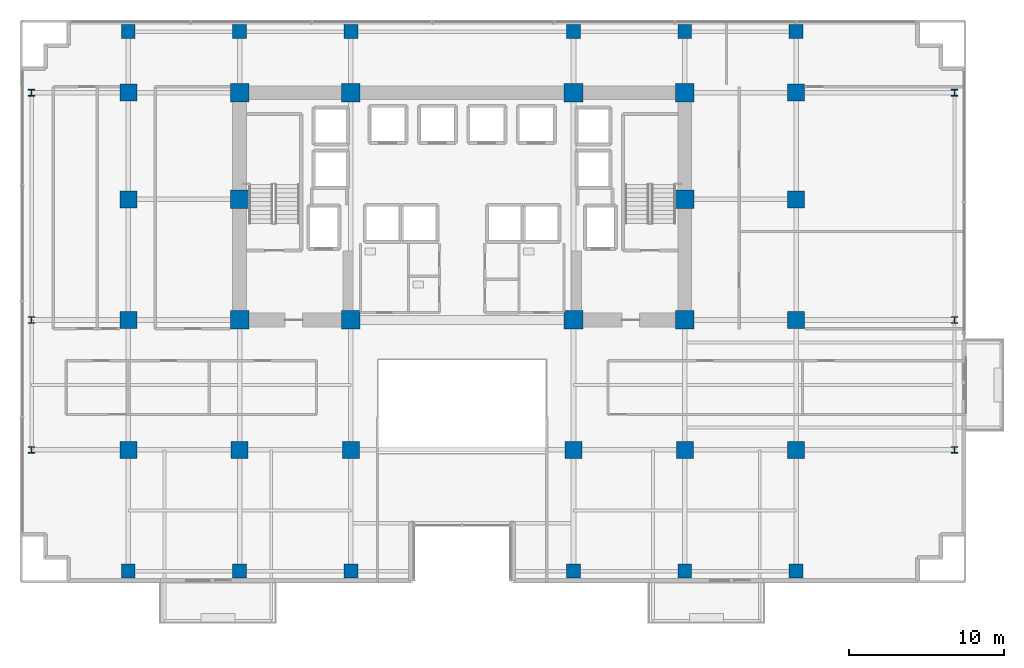
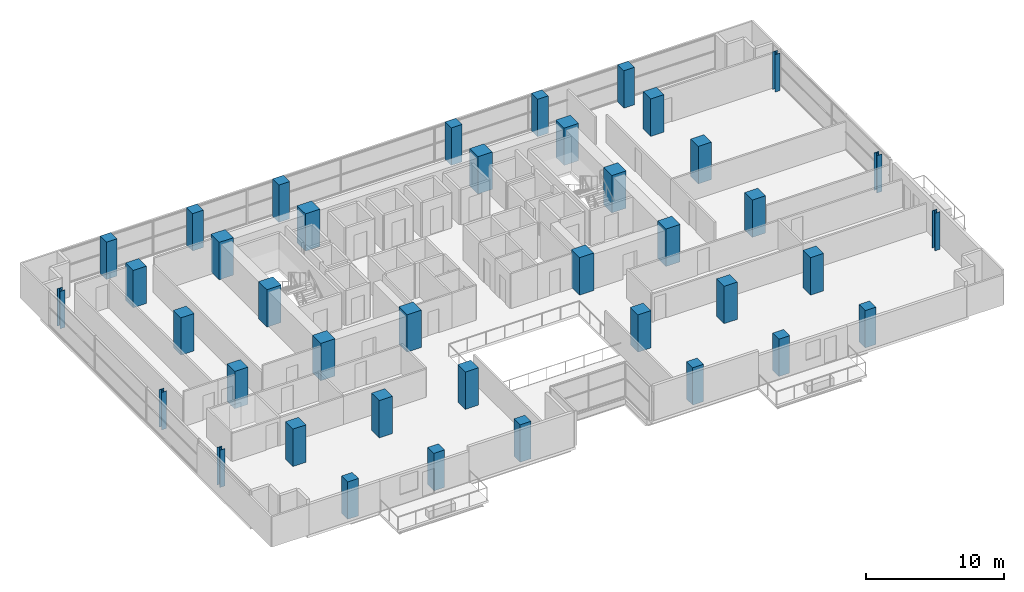
# One storey, part 1 of 26: 40 columns.
"""IFC4 building model written with IfcOpenShell, lengths in metres."""

from ifc_helpers import new_model, si_unit, direction, frame, origin, origin_2d, place, context, subcontext, project, spatial, rectangle, i_section, extrude, material, material_profile, profile_set, type_object, element, save


model = new_model("IFC4")

# Units and contexts
model_context = context("Model", 3, precision=1e-05, world=origin(), true_north=direction((0.0, 1.0)))
body_context = subcontext(model_context, "Body", "Model", "MODEL_VIEW")
ifc_project = project(units=[si_unit("LENGTHUNIT", "METRE"), si_unit("AREAUNIT", "SQUARE_METRE"), si_unit("VOLUMEUNIT", "CUBIC_METRE"), si_unit("PLANEANGLEUNIT", "RADIAN"), si_unit("MASSUNIT", "GRAM", prefix="KILO")], contexts=[model_context])

# Site, building, storey
site_placement = place(None, origin())
site = spatial("IfcSite", under=ifc_project, at=site_placement, CompositionType="ELEMENT")
building_placement = place(site_placement, origin())
building = spatial("IfcBuilding", under=site, at=building_placement, Name="Zarnakvel Exchange Tower", CompositionType="ELEMENT")
storey_placement = place(building_placement, frame((0.0, 0.0, 63.699951171875)))
storey = spatial("IfcBuildingStorey", under=building, at=storey_placement, Name="L17", CompositionType="ELEMENT", Elevation=63.699951171875)

# Columns
ifc_material_1 = material(Name="Concrete C80/95", Category="concrete")
ifc_material_profile_1 = material_profile(ifc_material_1, rectangle(XDim=1.199951171875, YDim=1.199951171875, at=origin_2d()))
ifc_profile_set_1 = profile_set([ifc_material_profile_1], Name="Concrete C80/95")
column_type_1 = type_object("IfcColumnType", Name="CC-01", PredefinedType="COLUMN", material=ifc_profile_set_1)
for number, where, z_axis, x_axis, name in (
    (1, (-14.39990234375, -1.199951171875, 0.0), (0.0, 0.0, 1.0), (1.0, 0.0, 0.0), "L17 Column C-4D (CC-01)"),
    (2, (-7.199951171875, -1.199951171875, 0.0), (0.0, 0.0, 1.0), (1.0, 0.0, 0.0), "L17 Column C-5D (CC-01)"),
    (3, (7.199951171875, -1.199951171875, 0.0), (0.0, 0.0, 1.0), (1.0, 0.0, 0.0), "L17 Column C-8D (CC-01)"),
    (4, (14.39990234375, -1.199951171875, 0.0), (0.0, 0.0, 1.0), (1.0, 0.0, 0.0), "L17 Column C-9D (CC-01)"),
    (5, (-14.39990234375, 6.60009765625, 0.0), (0.0, 0.0, 1.0), (1.0, 0.0, 0.0), "L17 Column C-4E (CC-01)"),
    (6, (14.39990234375, 6.60009765625, 0.0), (0.0, 0.0, 1.0), (1.0, 0.0, 0.0), "L17 Column C-9E (CC-01)"),
    (7, (-14.39990234375, 13.5, 0.0), (0.0, 0.0, 1.0), (1.0, 0.0, 0.0), "L17 Column C-4F (CC-01)"),
    (8, (-7.199951171875, 13.5, 0.0), (0.0, 0.0, 1.0), (1.0, 0.0, 0.0), "L17 Column C-5F (CC-01)"),
    (9, (7.199951171875, 13.5, 0.0), (0.0, 0.0, 1.0), (1.0, 0.0, 0.0), "L17 Column C-8F (CC-01)"),
    (10, (14.39990234375, 13.5, 0.0), (0.0, 0.0, 1.0), (1.0, 0.0, 0.0), "L17 Column C-9F (CC-01)"),
):
    element("IfcColumn", number, at=place(storey_placement, frame(where, z_axis=z_axis, x_axis=x_axis)), inside=storey, type_object=column_type_1, Name=name, PredefinedType="COLUMN", context=body_context, shape_type="SweptSolid", body=[
        extrude(rectangle(XDim=1.199951171875, YDim=1.199951171875, at=origin_2d()), origin(), (0.0, 0.0, 1.0), 3.300048828125),
    ])
ifc_material_2 = material(Name="Steel S355", Category="steel")
ifc_material_profile_2 = material_profile(ifc_material_2, i_section(OverallWidth=0.412109375, OverallDepth=0.425048828125, WebThickness=0.02587890625, FlangeThickness=0.0390625, FilletRadius=0.014892578125, at=origin_2d()))
ifc_profile_set_2 = profile_set([ifc_material_profile_2], Name="Steel S355")
column_type_2 = type_object("IfcColumnType", Name="SC-01", PredefinedType="COLUMN", material=ifc_profile_set_2)
for number, where, z_axis, x_axis, name in (
    (11, (-27.85009765625, -9.60009765625, 0.0), (0.0, 0.0, 1.0), (1.0, 0.0, 0.0), "L17 Column TW-C (SC-01)"),
    (12, (31.85009765625, -9.60009765625, 0.0), (0.0, 0.0, 1.0), (1.0, 0.0, 0.0), "L17 Column TE-C (SC-01)"),
    (13, (-27.85009765625, -1.199951171875, 0.0), (0.0, 0.0, 1.0), (1.0, 0.0, 0.0), "L17 Column TW-D (SC-01)"),
    (14, (31.85009765625, -1.199951171875, 0.0), (0.0, 0.0, 1.0), (1.0, 0.0, 0.0), "L17 Column TE-D (SC-01)"),
    (15, (-27.85009765625, 13.5, 0.0), (0.0, 0.0, 1.0), (1.0, 0.0, 0.0), "L17 Column TW-F (SC-01)"),
    (16, (31.85009765625, 13.5, 0.0), (0.0, 0.0, 1.0), (1.0, 0.0, 0.0), "L17 Column TE-F (SC-01)"),
):
    element("IfcColumn", number, at=place(storey_placement, frame(where, z_axis=z_axis, x_axis=x_axis)), inside=storey, type_object=column_type_2, Name=name, PredefinedType="COLUMN", context=body_context, shape_type="SweptSolid", body=[
        extrude(i_section(OverallWidth=0.412109375, OverallDepth=0.425048828125, WebThickness=0.02587890625, FlangeThickness=0.0390625, FilletRadius=0.014892578125, at=origin_2d()), origin(), (0.0, 0.0, 1.0), 3.300048828125),
    ])
ifc_material_profile_3 = material_profile(ifc_material_1, rectangle(XDim=1.10009765625, YDim=1.10009765625, at=origin_2d()))
ifc_profile_set_3 = profile_set([ifc_material_profile_3], Name="Concrete C80/95")
column_type_3 = type_object("IfcColumnType", Name="TC-01", PredefinedType="COLUMN", material=ifc_profile_set_3)
for number, where, z_axis, x_axis, name in (
    (17, (-14.39990234375, -9.60009765625, 0.0), (0.0, 0.0, 1.0), (1.0, 0.0, 0.0), "L17 Column T-4C (TC-01)"),
    (18, (-7.199951171875, -9.60009765625, 0.0), (0.0, 0.0, 1.0), (1.0, 0.0, 0.0), "L17 Column T-5C (TC-01)"),
    (19, (7.199951171875, -9.60009765625, 0.0), (0.0, 0.0, 1.0), (1.0, 0.0, 0.0), "L17 Column T-8C (TC-01)"),
    (20, (14.39990234375, -9.60009765625, 0.0), (0.0, 0.0, 1.0), (1.0, 0.0, 0.0), "L17 Column T-9C (TC-01)"),
    (21, (-21.60009765625, -9.60009765625, 0.0), (0.0, 0.0, 1.0), (1.0, 0.0, 0.0), "L17 Column T-3C (TC-01)"),
    (22, (-21.60009765625, -1.199951171875, 0.0), (0.0, 0.0, 1.0), (1.0, 0.0, 0.0), "L17 Column T-3D (TC-01)"),
    (23, (-21.60009765625, 6.60009765625, 0.0), (0.0, 0.0, 1.0), (1.0, 0.0, 0.0), "L17 Column T-3E (TC-01)"),
    (24, (-21.60009765625, 13.5, 0.0), (0.0, 0.0, 1.0), (1.0, 0.0, 0.0), "L17 Column T-3F (TC-01)"),
    (25, (21.60009765625, -9.60009765625, 0.0), (0.0, 0.0, 1.0), (1.0, 0.0, 0.0), "L17 Column T-10C (TC-01)"),
    (26, (21.60009765625, -1.199951171875, 0.0), (0.0, 0.0, 1.0), (1.0, 0.0, 0.0), "L17 Column T-10D (TC-01)"),
    (27, (21.60009765625, 6.60009765625, 0.0), (0.0, 0.0, 1.0), (1.0, 0.0, 0.0), "L17 Column T-10E (TC-01)"),
    (28, (21.60009765625, 13.5, 0.0), (0.0, 0.0, 1.0), (1.0, 0.0, 0.0), "L17 Column T-10F (TC-01)"),
):
    element("IfcColumn", number, at=place(storey_placement, frame(where, z_axis=z_axis, x_axis=x_axis)), inside=storey, type_object=column_type_3, Name=name, PredefinedType="COLUMN", context=body_context, shape_type="SweptSolid", body=[
        extrude(rectangle(XDim=1.10009765625, YDim=1.10009765625, at=origin_2d()), origin(), (0.0, 0.0, 1.0), 3.300048828125),
    ])
ifc_material_3 = material(Name="Concrete C60/75", Category="concrete")
ifc_material_profile_4 = material_profile(ifc_material_3, rectangle(XDim=0.89990234375, YDim=0.89990234375, at=origin_2d()))
ifc_profile_set_4 = profile_set([ifc_material_profile_4], Name="Concrete C60/75")
column_type_4 = type_object("IfcColumnType", Name="TC-02", PredefinedType="COLUMN", material=ifc_profile_set_4)
for number, where, z_axis, x_axis, name in (
    (29, (-14.39990234375, -17.449951171875, 0.0), (0.0, 0.0, 1.0), (1.0, 0.0, 0.0), "L17 Column TS-4 (TC-02)"),
    (30, (-14.39990234375, 17.449951171875, 0.0), (0.0, 0.0, 1.0), (1.0, 0.0, 0.0), "L17 Column TN-4 (TC-02)"),
    (31, (-7.199951171875, -17.449951171875, 0.0), (0.0, 0.0, 1.0), (1.0, 0.0, 0.0), "L17 Column TS-5 (TC-02)"),
    (32, (-7.199951171875, 17.449951171875, 0.0), (0.0, 0.0, 1.0), (1.0, 0.0, 0.0), "L17 Column TN-5 (TC-02)"),
    (33, (7.199951171875, -17.449951171875, 0.0), (0.0, 0.0, 1.0), (1.0, 0.0, 0.0), "L17 Column TS-8 (TC-02)"),
    (34, (7.199951171875, 17.449951171875, 0.0), (0.0, 0.0, 1.0), (1.0, 0.0, 0.0), "L17 Column TN-8 (TC-02)"),
    (35, (14.39990234375, -17.449951171875, 0.0), (0.0, 0.0, 1.0), (1.0, 0.0, 0.0), "L17 Column TS-9 (TC-02)"),
    (36, (14.39990234375, 17.449951171875, 0.0), (0.0, 0.0, 1.0), (1.0, 0.0, 0.0), "L17 Column TN-9 (TC-02)"),
    (37, (-21.60009765625, -17.449951171875, 0.0), (0.0, 0.0, 1.0), (1.0, 0.0, 0.0), "L17 Column TS-3 (TC-02)"),
    (38, (-21.60009765625, 17.449951171875, 0.0), (0.0, 0.0, 1.0), (1.0, 0.0, 0.0), "L17 Column TN-3 (TC-02)"),
    (39, (21.60009765625, -17.449951171875, 0.0), (0.0, 0.0, 1.0), (1.0, 0.0, 0.0), "L17 Column TS-10 (TC-02)"),
    (40, (21.60009765625, 17.449951171875, 0.0), (0.0, 0.0, 1.0), (1.0, 0.0, 0.0), "L17 Column TN-10 (TC-02)"),
):
    element("IfcColumn", number, at=place(storey_placement, frame(where, z_axis=z_axis, x_axis=x_axis)), inside=storey, type_object=column_type_4, Name=name, PredefinedType="COLUMN", context=body_context, shape_type="SweptSolid", body=[
        extrude(rectangle(XDim=0.89990234375, YDim=0.89990234375, at=origin_2d()), origin(), (0.0, 0.0, 1.0), 3.300048828125),
    ])

save(model, "model.ifc")
